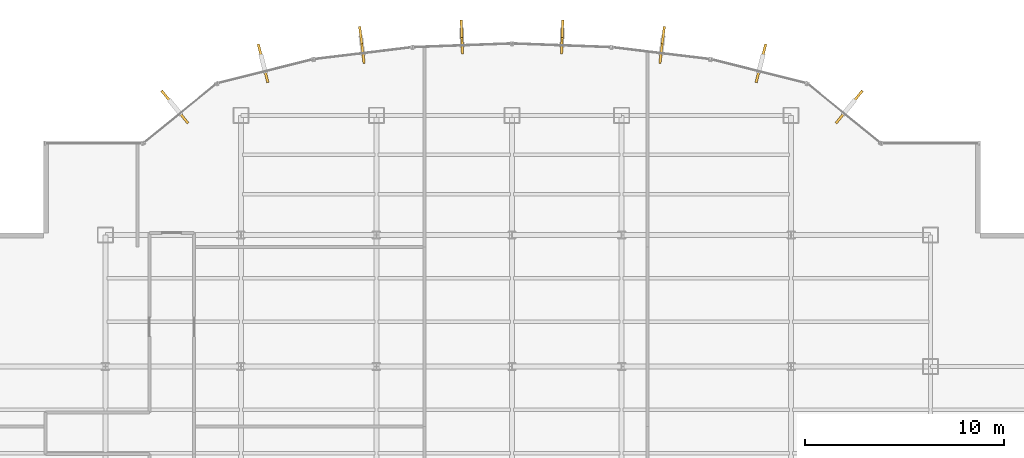
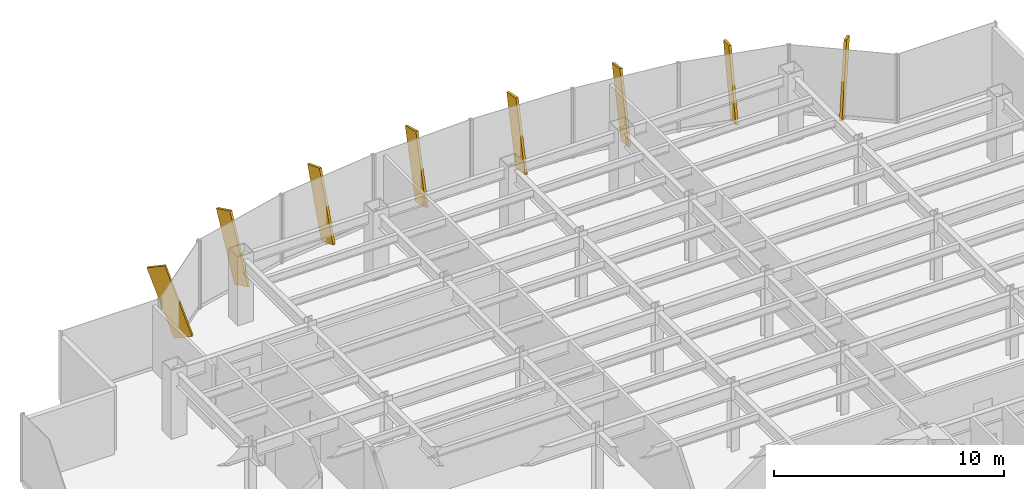
# One storey, part 25 of 26: 8 shading devices.
"""IFC4 building model written with IfcOpenShell, lengths in metres."""

from ifc_helpers import new_model, si_unit, derived_unit, direction, frame, origin, origin_2d, place, context, subcontext, project, spatial, rectangle, extrude, source, transform, mapped, material, type_object, element, save


model = new_model("IFC4")

# Units and contexts
model_context = context("Model", 3, precision=1e-05, world=origin(), true_north=direction((0.0, 1.0)))
body_context = subcontext(model_context, "Body", "Model", "MODEL_VIEW")
ifc_project = project(units=[si_unit("LENGTHUNIT", "METRE"), si_unit("AREAUNIT", "SQUARE_METRE"), si_unit("VOLUMEUNIT", "CUBIC_METRE"), si_unit("PLANEANGLEUNIT", "RADIAN"), si_unit("MASSUNIT", "GRAM", prefix="KILO"), derived_unit("THERMALTRANSMITTANCEUNIT", [(si_unit("POWERUNIT", "WATT"), 1), (si_unit("LENGTHUNIT", "METRE"), -2), (si_unit("THERMODYNAMICTEMPERATUREUNIT", "KELVIN"), -1)])], contexts=[model_context])

# Site, building, storey
site_placement = place(None, origin())
site = spatial("IfcSite", under=ifc_project, at=site_placement, CompositionType="ELEMENT")
building_placement = place(site_placement, origin())
building = spatial("IfcBuilding", under=site, at=building_placement, Name="Skarnbrae Concourse Arena and Tower", CompositionType="ELEMENT")
storey_placement = place(building_placement, frame((0.0, 0.0, 125.14990234375)))
storey = spatial("IfcBuildingStorey", under=building, at=storey_placement, Name="L31", CompositionType="ELEMENT", Elevation=125.14990234375)

# Shading devices
ifc_material = material(Name="Bronze anodised aluminium 6063-T6", Category="aluminium")
shading_device_type = type_object("IfcShadingDeviceType", Name="SHD-BRONZE-FIN-900", PredefinedType="USERDEFINED", material=ifc_material)
shared_shape = source(origin(), body_context, "Body", "SweptSolid", [
    extrude(rectangle(XDim=0.1201171875, YDim=0.89990234375, at=origin_2d()), origin(), (0.0, 0.0, 1.0), 3.64990234375),
])
for number, where, z_axis, x_axis, name in (
    (1, (44.520751953125, 40.331787109375, 0.114013671875), (0.219028888683, 0.269688051153, 0.937707150974), (0.776244501415, -0.630431974144, 0.0), "L31 Outward-leaning bronze shading fin 08"),
    (2, (40.351318359375, 42.459228515625, 0.091552734375), (0.076012091807, 0.302773374998, 0.950026549782), (0.969901771235, -0.243496517748, 0.0), "L31 Outward-leaning bronze shading fin 09"),
    (3, (35.472412109375, 43.43896484375, 0.068603515625), (0.032608617628, 0.269305456037, 0.96250259709), (0.992748952377, -0.120206146079, 0.0), "L31 Outward-leaning bronze shading fin 10"),
    (4, (30.49951171875, 43.90869140625, 0.048828125), (0.008522677185, 0.229041880827, 0.97337925846), (0.999308421355, -0.037184392011, 0.0), "L31 Outward-leaning bronze shading fin 11"),
    (5, (25.50048828125, 43.90869140625, 0.048828125), (-0.008522677185, 0.229041880827, 0.97337925846), (0.999308421355, 0.037184392011, 0.0), "L31 Outward-leaning bronze shading fin 12"),
    (6, (20.527587890625, 43.43896484375, 0.068603515625), (-0.032608617628, 0.269305456037, 0.96250259709), (0.992748952377, 0.120206146079, 0.0), "L31 Outward-leaning bronze shading fin 13"),
    (7, (15.648681640625, 42.459228515625, 0.091552734375), (-0.076012091807, 0.302773374998, 0.950026549782), (0.969901771235, 0.243496517748, 0.0), "L31 Outward-leaning bronze shading fin 14"),
    (8, (11.479248046875, 40.331787109375, 0.114013671875), (-0.219028888683, 0.269688051153, 0.937707150974), (0.776244501415, 0.630431974144, 0.0), "L31 Outward-leaning bronze shading fin 15"),
):
    element("IfcShadingDevice", number, at=place(storey_placement, frame(where, z_axis=z_axis, x_axis=x_axis)), inside=storey, type_object=shading_device_type, Name=name, ObjectType="FIN", PredefinedType="USERDEFINED", context=body_context, shape_type="MappedRepresentation", body=[
        mapped(shared_shape, transform((0.0, 0.0, 0.0))),
    ])

save(model, "model.ifc")
